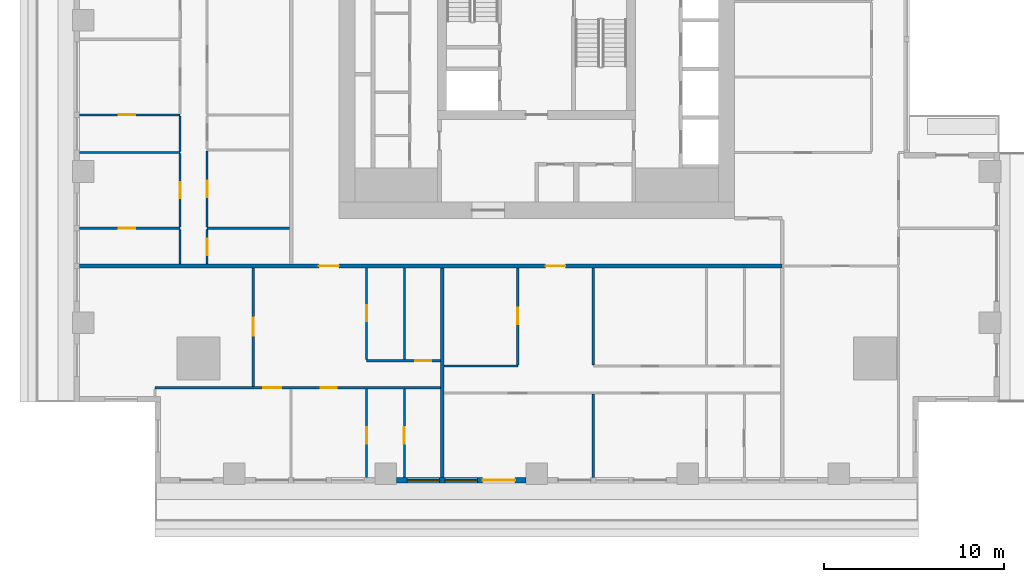
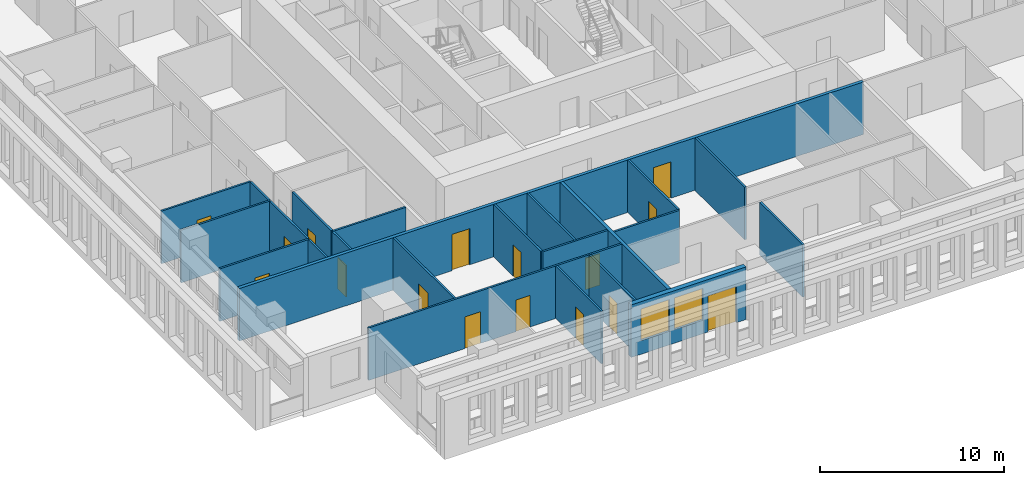
# One storey, part 2 of 16: 23 walls, 16 doors, 2 windows, 18 openings.
"""IFC4 building model written with IfcOpenShell, lengths in metres."""

from ifc_helpers import new_model, si_unit, direction, frame, frame_2d, origin, place, context, subcontext, project, spatial, rectangle, extrude, material, layer, layer_set, type_object, element, fill, save


model = new_model("IFC4")

# Units and contexts
model_context = context("Model", 3, precision=1e-05, world=origin(), true_north=direction((0.0, 1.0)))
body_context = subcontext(model_context, "Body", "Model", "MODEL_VIEW")
ifc_project = project(units=[si_unit("LENGTHUNIT", "METRE"), si_unit("AREAUNIT", "SQUARE_METRE"), si_unit("VOLUMEUNIT", "CUBIC_METRE"), si_unit("PLANEANGLEUNIT", "RADIAN"), si_unit("MASSUNIT", "GRAM", prefix="KILO")], contexts=[model_context])

# Site, building, storey
site_placement = place(None, origin())
site = spatial("IfcSite", under=ifc_project, at=site_placement, CompositionType="ELEMENT")
building_placement = place(site_placement, origin())
building = spatial("IfcBuilding", under=site, at=building_placement, Name="Khepri Terraces", CompositionType="ELEMENT")
storey_placement = place(building_placement, frame((0.0, 0.0, 204.0)))
storey = spatial("IfcBuildingStorey", under=building, at=storey_placement, Name="L48", CompositionType="ELEMENT", Elevation=204.0)

# Wall
ifc_material_1 = material(Name="Fire-rated gypsum plasterboard partition, mineral wool")
ifc_layer_1 = layer(ifc_material_1, 0.199951171875, Name="Fire-rated gypsum plasterboard partition, mineral wool")
ifc_layer_set_1 = layer_set([ifc_layer_1], Name="Fire-rated gypsum plasterboard partition, mineral wool")
wall_type_1 = type_object("IfcWallType", Name="WL-CORR-200", PredefinedType="PARTITIONING", material=ifc_layer_set_1)
wall_1_placement = place(storey_placement, frame((-5.25, -25.419921875, 0.0), z_axis=(0.0, 0.0, 1.0), x_axis=(0.0, 1.0, 0.0)))
element("IfcWall", 1, at=wall_1_placement, inside=storey, type_object=wall_type_1, Name="Partition P-004 L48", PredefinedType="PARTITIONING", context=body_context, shape_type="SweptSolid", body=[
    extrude(rectangle(XDim=11.669921875, YDim=0.199951171875, at=frame_2d((5.8349609375, 0.0))), origin(), (0.0, 0.0, 1.0), 3.47998046875),
])

# Wall, openings, doors
wall_2_placement = place(storey_placement, frame((-25.419921875, -13.64990234375, 0.0), z_axis=(0.0, 0.0, 1.0), x_axis=(1.0, 0.0, 0.0)))
wall_2 = element("IfcWall", 2, at=wall_2_placement, inside=storey, type_object=wall_type_1, Name="Partition P-023 L48", PredefinedType="PARTITIONING", context=body_context, shape_type="SweptSolid", body=[
    extrude(rectangle(XDim=39.06982421875, YDim=0.199951171875, at=frame_2d((19.534912109375, 0.0))), origin(), (0.0, 0.0, 1.0), 3.47998046875),
])
opening_1_placement = place(wall_2_placement, frame((13.320068359375, 0.0, 0.0)))
opening_1 = element("IfcOpeningElement", 3, at=opening_1_placement, cuts=wall_2, Name="Opening D1", PredefinedType="OPENING", context=body_context, shape_type="SweptSolid", body=[
    extrude(rectangle(XDim=1.10009765625, YDim=2.39990234375, at=frame_2d((0.550048828125, 1.199951171875))), frame((0.0, 0.10986328125, 0.0), z_axis=(0.0, -1.0, 0.0), x_axis=(1.0, 0.0, 0.0)), (0.0, 0.0, 1.0), 0.219970703125),
])
opening_2_placement = place(wall_2_placement, frame((25.919921875, 0.0, 0.0)))
opening_2 = element("IfcOpeningElement", 4, at=opening_2_placement, cuts=wall_2, Name="Opening D1", PredefinedType="OPENING", context=body_context, shape_type="SweptSolid", body=[
    extrude(rectangle(XDim=1.10009765625, YDim=2.39990234375, at=frame_2d((0.550048828125, 1.199951171875))), frame((0.0, 0.10986328125, 0.0), z_axis=(0.0, -1.0, 0.0), x_axis=(1.0, 0.0, 0.0)), (0.0, 0.0, 1.0), 0.219970703125),
])
ifc_material_2 = material(Name="Solid-core timber door leaf, flat entrance door", Category="wood")
door_type_1 = type_object("IfcDoorType", Name="DR-ENT-1100", OperationType="NOTDEFINED", PredefinedType="DOOR", material=ifc_material_2)
door_1_placement = place(opening_1_placement, frame((1.10009765625, 0.0, 0.0), z_axis=(0.0, 0.0, 1.0), x_axis=(-1.0, 0.0, 0.0)))
door_1 = element("IfcDoor", 5, at=door_1_placement, inside=storey, type_object=door_type_1, Name="Flat A1 entrance door", OperationType="SINGLE_SWING_RIGHT", OverallHeight=2.39990234375, OverallWidth=1.10009765625, PredefinedType="DOOR", context=body_context, shape_type="SweptSolid", body=[
    extrude(rectangle(XDim=1.10009765625, YDim=2.39990234375, at=frame_2d((0.550048828125, 1.199951171875))), frame((0.0, 0.02490234375, 0.0), z_axis=(0.0, -1.0, 0.0), x_axis=(1.0, 0.0, 0.0)), (0.0, 0.0, 1.0), 0.050048828125),
])
fill(opening_1, door_1)
door_2_placement = place(opening_2_placement, frame((1.10009765625, 0.0, 0.0), z_axis=(0.0, 0.0, 1.0), x_axis=(-1.0, 0.0, 0.0)))
door_2 = element("IfcDoor", 6, at=door_2_placement, inside=storey, type_object=door_type_1, Name="Flat A2 entrance door", OperationType="SINGLE_SWING_LEFT", OverallHeight=2.39990234375, OverallWidth=1.10009765625, PredefinedType="DOOR", context=body_context, shape_type="SweptSolid", body=[
    extrude(rectangle(XDim=1.10009765625, YDim=2.39990234375, at=frame_2d((0.550048828125, 1.199951171875))), frame((0.0, 0.02490234375, 0.0), z_axis=(0.0, -1.0, 0.0), x_axis=(1.0, 0.0, 0.0)), (0.0, 0.0, 1.0), 0.050048828125),
])
fill(opening_2, door_2)

# Wall, openings, door, windows
ifc_material_3 = material(Name="Precast concrete C50/60 warm stone", Category="masonry")
ifc_layer_2 = layer(ifc_material_3, 0.300048828125, Name="Precast concrete C50/60 warm stone", Category="masonry")
ifc_layer_set_2 = layer_set([ifc_layer_2], Name="Precast concrete C50/60 warm stone")
wall_type_2 = type_object("IfcWallType", Name="WL-EXT-PRECAST-300", PredefinedType="STANDARD", material=ifc_layer_set_2)
wall_3_placement = place(storey_placement, frame((-7.800048828125, -25.570068359375, 0.0), z_axis=(0.0, 0.0, 1.0), x_axis=(1.0, 0.0, 0.0)))
wall_3 = element("IfcWall", 7, at=wall_3_placement, inside=storey, type_object=wall_type_2, Name="External wall L48 S", PredefinedType="STANDARD", context=body_context, shape_type="SweptSolid", body=[
    extrude(rectangle(XDim=7.199951171875, YDim=0.300048828125, at=frame_2d((3.60009765625, 0.0))), origin(), (0.0, 0.0, 1.0), 3.47998046875),
])
opening_3_placement = place(wall_3_placement, frame((0.60009765625, 0.0, 0.89990234375)))
opening_3 = element("IfcOpeningElement", 8, at=opening_3_placement, cuts=wall_3, Name="Opening W1", PredefinedType="OPENING", context=body_context, shape_type="SweptSolid", body=[
    extrude(rectangle(XDim=1.800048828125, YDim=2.10009765625, at=frame_2d((0.89990234375, 1.050048828125))), frame((0.0, 0.16015625, 0.0), z_axis=(0.0, -1.0, 0.0), x_axis=(1.0, 0.0, 0.0)), (0.0, 0.0, 1.0), 0.320068359375),
])
opening_4_placement = place(wall_3_placement, frame((2.699951171875, 0.0, 0.89990234375)))
opening_4 = element("IfcOpeningElement", 9, at=opening_4_placement, cuts=wall_3, Name="Opening W1", PredefinedType="OPENING", context=body_context, shape_type="SweptSolid", body=[
    extrude(rectangle(XDim=1.800048828125, YDim=2.10009765625, at=frame_2d((0.89990234375, 1.050048828125))), frame((0.0, 0.16015625, 0.0), z_axis=(0.0, -1.0, 0.0), x_axis=(1.0, 0.0, 0.0)), (0.0, 0.0, 1.0), 0.320068359375),
])
opening_5_placement = place(wall_3_placement, frame((4.800048828125, 0.0, 0.0)))
opening_5 = element("IfcOpeningElement", 10, at=opening_5_placement, cuts=wall_3, Name="Opening ED-L48-18", PredefinedType="OPENING", context=body_context, shape_type="SweptSolid", body=[
    extrude(rectangle(XDim=1.800048828125, YDim=2.39990234375, at=frame_2d((0.89990234375, 1.199951171875))), frame((0.0, 0.16015625, 0.0), z_axis=(0.0, -1.0, 0.0), x_axis=(1.0, 0.0, 0.0)), (0.0, 0.0, 1.0), 0.320068359375),
])
ifc_material_4 = material(Name="Anodised aluminium bronze glazed door", Category="aluminium")
door_type_2 = type_object("IfcDoorType", Name="DR-BAL-SLIDE-1800x2400", OperationType="NOTDEFINED", PredefinedType="DOOR", material=ifc_material_4)
door_3_placement = place(opening_5_placement, origin())
door_3 = element("IfcDoor", 11, at=door_3_placement, inside=storey, type_object=door_type_2, Name="Balcony door L48 S", OperationType="SLIDING_TO_RIGHT", OverallHeight=2.39990234375, OverallWidth=1.800048828125, PredefinedType="DOOR", context=body_context, shape_type="SweptSolid", body=[
    extrude(rectangle(XDim=1.800048828125, YDim=2.39990234375, at=frame_2d((0.89990234375, 1.199951171875))), frame((0.0, 0.02490234375, 0.0), z_axis=(0.0, -1.0, 0.0), x_axis=(1.0, 0.0, 0.0)), (0.0, 0.0, 1.0), 0.050048828125),
])
fill(opening_5, door_3)
ifc_material_5 = material(Name="Clear glass", Category="glass")
window_type = type_object("IfcWindowType", Name="WIN-RES-1800x2100", PartitioningType="SINGLE_PANEL", PredefinedType="WINDOW", material=ifc_material_5)
window_1_placement = place(opening_3_placement, origin())
window_1 = element("IfcWindow", 12, at=window_1_placement, inside=storey, type_object=window_type, Name="Window L48 S", OverallHeight=2.10009765625, OverallWidth=1.800048828125, PartitioningType="SINGLE_PANEL", PredefinedType="WINDOW", context=body_context, shape_type="SweptSolid", body=[
    extrude(rectangle(XDim=1.800048828125, YDim=2.10009765625, at=frame_2d((0.89990234375, 1.050048828125))), frame((0.0, 0.030029296875, 0.0), z_axis=(0.0, -1.0, 0.0), x_axis=(1.0, 0.0, 0.0)), (0.0, 0.0, 1.0), 0.06005859375),
])
fill(opening_3, window_1)
window_2_placement = place(opening_4_placement, origin())
window_2 = element("IfcWindow", 13, at=window_2_placement, inside=storey, type_object=window_type, Name="Window L48 S", OverallHeight=2.10009765625, OverallWidth=1.800048828125, PartitioningType="SINGLE_PANEL", PredefinedType="WINDOW", context=body_context, shape_type="SweptSolid", body=[
    extrude(rectangle(XDim=1.800048828125, YDim=2.10009765625, at=frame_2d((0.89990234375, 1.050048828125))), frame((0.0, 0.030029296875, 0.0), z_axis=(0.0, -1.0, 0.0), x_axis=(1.0, 0.0, 0.0)), (0.0, 0.0, 1.0), 0.06005859375),
])
fill(opening_4, window_2)

# Wall, opening, door
ifc_material_6 = material(Name="Gypsum plasterboard partition")
ifc_layer_3 = layer(ifc_material_6, 0.1201171875, Name="Gypsum plasterboard partition")
ifc_layer_set_3 = layer_set([ifc_layer_3], Name="Gypsum plasterboard partition")
wall_type_3 = type_object("IfcWallType", Name="WL-PART-120", PredefinedType="PARTITIONING", material=ifc_layer_set_3)
wall_4_placement = place(storey_placement, frame((-9.449951171875, -25.419921875, 0.0), z_axis=(0.0, 0.0, 1.0), x_axis=(0.0, 1.0, 0.0)))
wall_4 = element("IfcWall", 14, at=wall_4_placement, inside=storey, type_object=wall_type_3, Name="Partition P-002 L48", PredefinedType="PARTITIONING", context=body_context, shape_type="SweptSolid", body=[
    extrude(rectangle(XDim=4.93994140625, YDim=0.1201171875, at=frame_2d((2.469970703125, 0.0))), origin(), (0.0, 0.0, 1.0), 3.47998046875),
])
opening_6_placement = place(wall_4_placement, frame((1.89990234375, 0.0, 0.0)))
opening_6 = element("IfcOpeningElement", 15, at=opening_6_placement, cuts=wall_4, Name="Opening D3", PredefinedType="OPENING", context=body_context, shape_type="SweptSolid", body=[
    extrude(rectangle(XDim=0.89990234375, YDim=2.10009765625, at=frame_2d((0.449951171875, 1.050048828125))), frame((0.0, 0.070068359375, 0.0), z_axis=(0.0, -1.0, 0.0), x_axis=(1.0, 0.0, 0.0)), (0.0, 0.0, 1.0), 0.14013671875),
])
ifc_material_7 = material(Name="Timber door leaf", Category="wood")
door_type_3 = type_object("IfcDoorType", Name="DR-INT-900", OperationType="NOTDEFINED", PredefinedType="DOOR", material=ifc_material_7)
door_4_placement = place(opening_6_placement, frame((0.89990234375, 0.0, 0.0), z_axis=(0.0, 0.0, 1.0), x_axis=(-1.0, 0.0, 0.0)))
door_4 = element("IfcDoor", 16, at=door_4_placement, inside=storey, type_object=door_type_3, Name="Door Dressing Room", OperationType="SINGLE_SWING_RIGHT", OverallHeight=2.10009765625, OverallWidth=0.89990234375, PredefinedType="DOOR", context=body_context, shape_type="SweptSolid", body=[
    extrude(rectangle(XDim=0.89990234375, YDim=2.10009765625, at=frame_2d((0.449951171875, 1.050048828125))), frame((0.0, 0.02490234375, 0.0), z_axis=(0.0, -1.0, 0.0), x_axis=(1.0, 0.0, 0.0)), (0.0, 0.0, 1.0), 0.050048828125),
])
fill(opening_6, door_4)

wall_5_placement = place(storey_placement, frame((-7.35009765625, -25.419921875, 0.0), z_axis=(0.0, 0.0, 1.0), x_axis=(0.0, 1.0, 0.0)))
wall_5 = element("IfcWall", 17, at=wall_5_placement, inside=storey, type_object=wall_type_3, Name="Partition P-003 L48", PredefinedType="PARTITIONING", context=body_context, shape_type="SweptSolid", body=[
    extrude(rectangle(XDim=4.93994140625, YDim=0.1201171875, at=frame_2d((2.469970703125, 0.0))), origin(), (0.0, 0.0, 1.0), 3.47998046875),
])
opening_7_placement = place(wall_5_placement, frame((1.89990234375, 0.0, 0.0)))
opening_7 = element("IfcOpeningElement", 18, at=opening_7_placement, cuts=wall_5, Name="Opening D4", PredefinedType="OPENING", context=body_context, shape_type="SweptSolid", body=[
    extrude(rectangle(XDim=0.89990234375, YDim=2.10009765625, at=frame_2d((0.449951171875, 1.050048828125))), frame((0.0, 0.070068359375, 0.0), z_axis=(0.0, -1.0, 0.0), x_axis=(1.0, 0.0, 0.0)), (0.0, 0.0, 1.0), 0.14013671875),
])
ifc_material_8 = material(Name="Timber door leaf, moisture resistant", Category="wood")
door_type_4 = type_object("IfcDoorType", Name="DR-WET-900", OperationType="NOTDEFINED", PredefinedType="DOOR", material=ifc_material_8)
door_5_placement = place(opening_7_placement, frame((0.89990234375, 0.0, 0.0), z_axis=(0.0, 0.0, 1.0), x_axis=(-1.0, 0.0, 0.0)))
door_5 = element("IfcDoor", 19, at=door_5_placement, inside=storey, type_object=door_type_4, Name="Door Bathroom", OperationType="SINGLE_SWING_RIGHT", OverallHeight=2.10009765625, OverallWidth=0.89990234375, PredefinedType="DOOR", context=body_context, shape_type="SweptSolid", body=[
    extrude(rectangle(XDim=0.89990234375, YDim=2.10009765625, at=frame_2d((0.449951171875, 1.050048828125))), frame((0.0, 0.02490234375, 0.0), z_axis=(0.0, -1.0, 0.0), x_axis=(1.0, 0.0, 0.0)), (0.0, 0.0, 1.0), 0.050048828125),
])
fill(opening_7, door_5)

# Wall
wall_6_placement = place(storey_placement, frame((3.14990234375, -25.419921875, 0.0), z_axis=(0.0, 0.0, 1.0), x_axis=(0.0, 1.0, 0.0)))
element("IfcWall", 20, at=wall_6_placement, inside=storey, type_object=wall_type_3, Name="Partition P-005 L48", PredefinedType="PARTITIONING", context=body_context, shape_type="SweptSolid", body=[
    extrude(rectangle(XDim=4.639892578125, YDim=0.1201171875, at=frame_2d((2.31982421875, 0.0))), origin(), (0.0, 0.0, 1.0), 3.47998046875),
])

# Wall, openings, doors
wall_7_placement = place(storey_placement, frame((-21.218994140625, -20.419921875, 0.0), z_axis=(0.0, 0.0, 1.0), x_axis=(1.0, 0.0, 0.0)))
wall_7 = element("IfcWall", 21, at=wall_7_placement, inside=storey, type_object=wall_type_3, Name="Partition P-012 L48", PredefinedType="PARTITIONING", context=body_context, shape_type="SweptSolid", body=[
    extrude(rectangle(XDim=15.868896484375, YDim=0.1201171875, at=frame_2d((7.9345703125, 0.0))), origin(), (0.0, 0.0, 1.0), 3.47998046875),
])
opening_8_placement = place(wall_7_placement, frame((6.01904296875, 0.0, 0.0)))
opening_8 = element("IfcOpeningElement", 22, at=opening_8_placement, cuts=wall_7, Name="Opening D2", PredefinedType="OPENING", context=body_context, shape_type="SweptSolid", body=[
    extrude(rectangle(XDim=1.0, YDim=2.10009765625, at=frame_2d((0.5, 1.050048828125))), frame((0.0, 0.070068359375, 0.0), z_axis=(0.0, -1.0, 0.0), x_axis=(1.0, 0.0, 0.0)), (0.0, 0.0, 1.0), 0.14013671875),
])
opening_9_placement = place(wall_7_placement, frame((9.218994140625, 0.0, 0.0)))
opening_9 = element("IfcOpeningElement", 23, at=opening_9_placement, cuts=wall_7, Name="Opening D3", PredefinedType="OPENING", context=body_context, shape_type="SweptSolid", body=[
    extrude(rectangle(XDim=0.89990234375, YDim=2.10009765625, at=frame_2d((0.449951171875, 1.050048828125))), frame((0.0, 0.070068359375, 0.0), z_axis=(0.0, -1.0, 0.0), x_axis=(1.0, 0.0, 0.0)), (0.0, 0.0, 1.0), 0.14013671875),
])
ifc_material_9 = material(Name="Timber door leaf, living room door", Category="wood")
door_type_5 = type_object("IfcDoorType", Name="DR-INT-1000", OperationType="NOTDEFINED", PredefinedType="DOOR", material=ifc_material_9)
door_6_placement = place(opening_8_placement, frame((1.0, 0.0, 0.0), z_axis=(0.0, 0.0, 1.0), x_axis=(-1.0, 0.0, 0.0)))
door_6 = element("IfcDoor", 24, at=door_6_placement, inside=storey, type_object=door_type_5, Name="Door Living Room", OperationType="SINGLE_SWING_RIGHT", OverallHeight=2.10009765625, OverallWidth=1.0, PredefinedType="DOOR", context=body_context, shape_type="SweptSolid", body=[
    extrude(rectangle(XDim=1.0, YDim=2.10009765625, at=frame_2d((0.5, 1.050048828125))), frame((0.0, 0.02490234375, 0.0), z_axis=(0.0, -1.0, 0.0), x_axis=(1.0, 0.0, 0.0)), (0.0, 0.0, 1.0), 0.050048828125),
])
fill(opening_8, door_6)
door_7_placement = place(opening_9_placement, frame((0.89990234375, 0.0, 0.0), z_axis=(0.0, 0.0, 1.0), x_axis=(-1.0, 0.0, 0.0)))
door_7 = element("IfcDoor", 25, at=door_7_placement, inside=storey, type_object=door_type_3, Name="Door Master Bedroom", OperationType="SINGLE_SWING_LEFT", OverallHeight=2.10009765625, OverallWidth=0.89990234375, PredefinedType="DOOR", context=body_context, shape_type="SweptSolid", body=[
    extrude(rectangle(XDim=0.89990234375, YDim=2.10009765625, at=frame_2d((0.449951171875, 1.050048828125))), frame((0.0, 0.02490234375, 0.0), z_axis=(0.0, -1.0, 0.0), x_axis=(1.0, 0.0, 0.0)), (0.0, 0.0, 1.0), 0.050048828125),
])
fill(opening_9, door_7)

# Wall, opening, door
wall_8_placement = place(storey_placement, frame((-15.75, -20.360107421875, 0.0), z_axis=(0.0, 0.0, 1.0), x_axis=(0.0, 1.0, 0.0)))
wall_8 = element("IfcWall", 26, at=wall_8_placement, inside=storey, type_object=wall_type_3, Name="Partition P-013 L48", PredefinedType="PARTITIONING", context=body_context, shape_type="SweptSolid", body=[
    extrude(rectangle(XDim=6.610107421875, YDim=0.1201171875, at=frame_2d((3.30517578125, 0.0))), origin(), (0.0, 0.0, 1.0), 3.47998046875),
])
opening_10_placement = place(wall_8_placement, frame((2.824951171875, 0.0, 0.0)))
opening_10 = element("IfcOpeningElement", 27, at=opening_10_placement, cuts=wall_8, Name="Opening D2", PredefinedType="OPENING", context=body_context, shape_type="SweptSolid", body=[
    extrude(rectangle(XDim=1.0, YDim=2.10009765625, at=frame_2d((0.5, 1.050048828125))), frame((0.0, 0.070068359375, 0.0), z_axis=(0.0, -1.0, 0.0), x_axis=(1.0, 0.0, 0.0)), (0.0, 0.0, 1.0), 0.14013671875),
])
door_8_placement = place(opening_10_placement, origin())
door_8 = element("IfcDoor", 28, at=door_8_placement, inside=storey, type_object=door_type_5, Name="Door Family Room", OperationType="SINGLE_SWING_RIGHT", OverallHeight=2.10009765625, OverallWidth=1.0, PredefinedType="DOOR", context=body_context, shape_type="SweptSolid", body=[
    extrude(rectangle(XDim=1.0, YDim=2.10009765625, at=frame_2d((0.5, 1.050048828125))), frame((0.0, 0.02490234375, 0.0), z_axis=(0.0, -1.0, 0.0), x_axis=(1.0, 0.0, 0.0)), (0.0, 0.0, 1.0), 0.050048828125),
])
fill(opening_10, door_8)

# Wall
wall_9_placement = place(storey_placement, frame((-5.14990234375, -19.219970703125, 0.0), z_axis=(0.0, 0.0, 1.0), x_axis=(1.0, 0.0, 0.0)))
element("IfcWall", 29, at=wall_9_placement, inside=storey, type_object=wall_type_3, Name="Partition P-014 L48", PredefinedType="PARTITIONING", context=body_context, shape_type="SweptSolid", body=[
    extrude(rectangle(XDim=4.099853515625, YDim=0.1201171875, at=frame_2d((2.0498046875, 0.0))), origin(), (0.0, 0.0, 1.0), 3.47998046875),
])

# Wall, opening, door
wall_10_placement = place(storey_placement, frame((-1.050048828125, -19.159912109375, 0.0), z_axis=(0.0, 0.0, 1.0), x_axis=(0.0, 1.0, 0.0)))
wall_10 = element("IfcWall", 30, at=wall_10_placement, inside=storey, type_object=wall_type_3, Name="Partition P-016 L48", PredefinedType="PARTITIONING", context=body_context, shape_type="SweptSolid", body=[
    extrude(rectangle(XDim=5.409912109375, YDim=0.1201171875, at=frame_2d((2.705078125, 0.0))), origin(), (0.0, 0.0, 1.0), 3.47998046875),
])
opening_11_placement = place(wall_10_placement, frame((2.27490234375, 0.0, 0.0)))
opening_11 = element("IfcOpeningElement", 31, at=opening_11_placement, cuts=wall_10, Name="Opening D3", PredefinedType="OPENING", context=body_context, shape_type="SweptSolid", body=[
    extrude(rectangle(XDim=0.89990234375, YDim=2.10009765625, at=frame_2d((0.449951171875, 1.050048828125))), frame((0.0, 0.070068359375, 0.0), z_axis=(0.0, -1.0, 0.0), x_axis=(1.0, 0.0, 0.0)), (0.0, 0.0, 1.0), 0.14013671875),
])
door_9_placement = place(opening_11_placement, origin())
door_9 = element("IfcDoor", 32, at=door_9_placement, inside=storey, type_object=door_type_3, Name="Door Utility Room", OperationType="SINGLE_SWING_RIGHT", OverallHeight=2.10009765625, OverallWidth=0.89990234375, PredefinedType="DOOR", context=body_context, shape_type="SweptSolid", body=[
    extrude(rectangle(XDim=0.89990234375, YDim=2.10009765625, at=frame_2d((0.449951171875, 1.050048828125))), frame((0.0, 0.02490234375, 0.0), z_axis=(0.0, -1.0, 0.0), x_axis=(1.0, 0.0, 0.0)), (0.0, 0.0, 1.0), 0.050048828125),
])
fill(opening_11, door_9)

# Wall
wall_11_placement = place(storey_placement, frame((3.14990234375, -19.159912109375, 0.0), z_axis=(0.0, 0.0, 1.0), x_axis=(0.0, 1.0, 0.0)))
element("IfcWall", 33, at=wall_11_placement, inside=storey, type_object=wall_type_3, Name="Partition P-017 L48", PredefinedType="PARTITIONING", context=body_context, shape_type="SweptSolid", body=[
    extrude(rectangle(XDim=5.409912109375, YDim=0.1201171875, at=frame_2d((2.705078125, 0.0))), origin(), (0.0, 0.0, 1.0), 3.47998046875),
])

# Wall, opening, door
wall_12_placement = place(storey_placement, frame((-9.449951171875, -18.919921875, 0.0), z_axis=(0.0, 0.0, 1.0), x_axis=(1.0, 0.0, 0.0)))
wall_12 = element("IfcWall", 34, at=wall_12_placement, inside=storey, type_object=wall_type_3, Name="Partition P-020 L48", PredefinedType="PARTITIONING", context=body_context, shape_type="SweptSolid", body=[
    extrude(rectangle(XDim=4.099853515625, YDim=0.1201171875, at=frame_2d((2.0498046875, 0.0))), origin(), (0.0, 0.0, 1.0), 3.47998046875),
])
opening_12_placement = place(wall_12_placement, frame((2.699951171875, 0.0, 0.0)))
opening_12 = element("IfcOpeningElement", 35, at=opening_12_placement, cuts=wall_12, Name="Opening D3", PredefinedType="OPENING", context=body_context, shape_type="SweptSolid", body=[
    extrude(rectangle(XDim=0.89990234375, YDim=2.10009765625, at=frame_2d((0.449951171875, 1.050048828125))), frame((0.0, 0.070068359375, 0.0), z_axis=(0.0, -1.0, 0.0), x_axis=(1.0, 0.0, 0.0)), (0.0, 0.0, 1.0), 0.14013671875),
])
door_10_placement = place(opening_12_placement, origin())
door_10 = element("IfcDoor", 36, at=door_10_placement, inside=storey, type_object=door_type_3, Name="Door Kitchen", OperationType="SINGLE_SWING_RIGHT", OverallHeight=2.10009765625, OverallWidth=0.89990234375, PredefinedType="DOOR", context=body_context, shape_type="SweptSolid", body=[
    extrude(rectangle(XDim=0.89990234375, YDim=2.10009765625, at=frame_2d((0.449951171875, 1.050048828125))), frame((0.0, 0.02490234375, 0.0), z_axis=(0.0, -1.0, 0.0), x_axis=(1.0, 0.0, 0.0)), (0.0, 0.0, 1.0), 0.050048828125),
])
fill(opening_12, door_10)

wall_13_placement = place(storey_placement, frame((-9.449951171875, -18.860107421875, 0.0), z_axis=(0.0, 0.0, 1.0), x_axis=(0.0, 1.0, 0.0)))
wall_13 = element("IfcWall", 37, at=wall_13_placement, inside=storey, type_object=wall_type_3, Name="Partition P-021 L48", PredefinedType="PARTITIONING", context=body_context, shape_type="SweptSolid", body=[
    extrude(rectangle(XDim=5.110107421875, YDim=0.1201171875, at=frame_2d((2.55517578125, 0.0))), origin(), (0.0, 0.0, 1.0), 3.47998046875),
])
opening_13_placement = place(wall_13_placement, frame((2.125, 0.0, 0.0)))
opening_13 = element("IfcOpeningElement", 38, at=opening_13_placement, cuts=wall_13, Name="Opening D4", PredefinedType="OPENING", context=body_context, shape_type="SweptSolid", body=[
    extrude(rectangle(XDim=0.89990234375, YDim=2.10009765625, at=frame_2d((0.449951171875, 1.050048828125))), frame((0.0, 0.070068359375, 0.0), z_axis=(0.0, -1.0, 0.0), x_axis=(1.0, 0.0, 0.0)), (0.0, 0.0, 1.0), 0.14013671875),
])
door_11_placement = place(opening_13_placement, frame((0.89990234375, 0.0, 0.0), z_axis=(0.0, 0.0, 1.0), x_axis=(-1.0, 0.0, 0.0)))
door_11 = element("IfcDoor", 39, at=door_11_placement, inside=storey, type_object=door_type_4, Name="Door Guest Bathroom", OperationType="SINGLE_SWING_LEFT", OverallHeight=2.10009765625, OverallWidth=0.89990234375, PredefinedType="DOOR", context=body_context, shape_type="SweptSolid", body=[
    extrude(rectangle(XDim=0.89990234375, YDim=2.10009765625, at=frame_2d((0.449951171875, 1.050048828125))), frame((0.0, 0.02490234375, 0.0), z_axis=(0.0, -1.0, 0.0), x_axis=(1.0, 0.0, 0.0)), (0.0, 0.0, 1.0), 0.050048828125),
])
fill(opening_13, door_11)

# Walls
wall_14_placement = place(storey_placement, frame((-7.35009765625, -18.860107421875, 0.0), z_axis=(0.0, 0.0, 1.0), x_axis=(0.0, 1.0, 0.0)))
element("IfcWall", 40, at=wall_14_placement, inside=storey, type_object=wall_type_3, Name="Partition P-022 L48", PredefinedType="PARTITIONING", context=body_context, shape_type="SweptSolid", body=[
    extrude(rectangle(XDim=5.110107421875, YDim=0.1201171875, at=frame_2d((2.55517578125, 0.0))), origin(), (0.0, 0.0, 1.0), 3.47998046875),
])
wall_15_placement = place(storey_placement, frame((-19.820068359375, -13.550048828125, 0.0), z_axis=(0.0, 0.0, 1.0), x_axis=(0.0, 1.0, 0.0)))
element("IfcWall", 41, at=wall_15_placement, inside=storey, type_object=wall_type_3, Name="Partition P-026 L48", PredefinedType="PARTITIONING", context=body_context, shape_type="SweptSolid", body=[
    extrude(rectangle(XDim=1.93994140625, YDim=0.1201171875, at=frame_2d((0.969970703125, 0.0))), origin(), (0.0, 0.0, 1.0), 3.47998046875),
])

# Wall, opening, door
wall_16_placement = place(storey_placement, frame((-18.320068359375, -13.550048828125, 0.0), z_axis=(0.0, 0.0, 1.0), x_axis=(0.0, 1.0, 0.0)))
wall_16 = element("IfcWall", 42, at=wall_16_placement, inside=storey, type_object=wall_type_3, Name="Partition P-027 L48", PredefinedType="PARTITIONING", context=body_context, shape_type="SweptSolid", body=[
    extrude(rectangle(XDim=1.93994140625, YDim=0.1201171875, at=frame_2d((0.969970703125, 0.0))), origin(), (0.0, 0.0, 1.0), 3.47998046875),
])
opening_14_placement = place(wall_16_placement, frame((0.5, 0.0, 0.0)))
opening_14 = element("IfcOpeningElement", 43, at=opening_14_placement, cuts=wall_16, Name="Opening D3", PredefinedType="OPENING", context=body_context, shape_type="SweptSolid", body=[
    extrude(rectangle(XDim=0.89990234375, YDim=2.10009765625, at=frame_2d((0.449951171875, 1.050048828125))), frame((0.0, 0.070068359375, 0.0), z_axis=(0.0, -1.0, 0.0), x_axis=(1.0, 0.0, 0.0)), (0.0, 0.0, 1.0), 0.14013671875),
])
door_12_placement = place(opening_14_placement, frame((0.89990234375, 0.0, 0.0), z_axis=(0.0, 0.0, 1.0), x_axis=(-1.0, 0.0, 0.0)))
door_12 = element("IfcDoor", 44, at=door_12_placement, inside=storey, type_object=door_type_3, Name="Door Utility Room", OperationType="SINGLE_SWING_RIGHT", OverallHeight=2.10009765625, OverallWidth=0.89990234375, PredefinedType="DOOR", context=body_context, shape_type="SweptSolid", body=[
    extrude(rectangle(XDim=0.89990234375, YDim=2.10009765625, at=frame_2d((0.449951171875, 1.050048828125))), frame((0.0, 0.02490234375, 0.0), z_axis=(0.0, -1.0, 0.0), x_axis=(1.0, 0.0, 0.0)), (0.0, 0.0, 1.0), 0.050048828125),
])
fill(opening_14, door_12)

wall_17_placement = place(storey_placement, frame((-25.419921875, -11.550048828125, 0.0), z_axis=(0.0, 0.0, 1.0), x_axis=(1.0, 0.0, 0.0)))
wall_17 = element("IfcWall", 45, at=wall_17_placement, inside=storey, type_object=wall_type_3, Name="Partition P-030 L48", PredefinedType="PARTITIONING", context=body_context, shape_type="SweptSolid", body=[
    extrude(rectangle(XDim=5.599853515625, YDim=0.1201171875, at=frame_2d((2.7998046875, 0.0))), origin(), (0.0, 0.0, 1.0), 3.47998046875),
])
opening_15_placement = place(wall_17_placement, frame((2.199951171875, 0.0, 0.0)))
opening_15 = element("IfcOpeningElement", 46, at=opening_15_placement, cuts=wall_17, Name="Opening D4", PredefinedType="OPENING", context=body_context, shape_type="SweptSolid", body=[
    extrude(rectangle(XDim=0.89990234375, YDim=2.10009765625, at=frame_2d((0.449951171875, 1.050048828125))), frame((0.0, 0.070068359375, 0.0), z_axis=(0.0, -1.0, 0.0), x_axis=(1.0, 0.0, 0.0)), (0.0, 0.0, 1.0), 0.14013671875),
])
door_13_placement = place(opening_15_placement, frame((0.89990234375, 0.0, 0.0), z_axis=(0.0, 0.0, 1.0), x_axis=(-1.0, 0.0, 0.0)))
door_13 = element("IfcDoor", 47, at=door_13_placement, inside=storey, type_object=door_type_4, Name="Door Bathroom", OperationType="SINGLE_SWING_RIGHT", OverallHeight=2.10009765625, OverallWidth=0.89990234375, PredefinedType="DOOR", context=body_context, shape_type="SweptSolid", body=[
    extrude(rectangle(XDim=0.89990234375, YDim=2.10009765625, at=frame_2d((0.449951171875, 1.050048828125))), frame((0.0, 0.02490234375, 0.0), z_axis=(0.0, -1.0, 0.0), x_axis=(1.0, 0.0, 0.0)), (0.0, 0.0, 1.0), 0.050048828125),
])
fill(opening_15, door_13)

# Wall
wall_18_placement = place(storey_placement, frame((-18.320068359375, -11.550048828125, 0.0), z_axis=(0.0, 0.0, 1.0), x_axis=(1.0, 0.0, 0.0)))
element("IfcWall", 48, at=wall_18_placement, inside=storey, type_object=wall_type_3, Name="Partition P-031 L48", PredefinedType="PARTITIONING", context=body_context, shape_type="SweptSolid", body=[
    extrude(rectangle(XDim=4.570068359375, YDim=0.1201171875, at=frame_2d((2.28515625, 0.0))), origin(), (0.0, 0.0, 1.0), 3.47998046875),
])

# Wall, opening, door
wall_19_placement = place(storey_placement, frame((-19.820068359375, -11.489990234375, 0.0), z_axis=(0.0, 0.0, 1.0), x_axis=(0.0, 1.0, 0.0)))
wall_19 = element("IfcWall", 49, at=wall_19_placement, inside=storey, type_object=wall_type_3, Name="Partition P-033 L48", PredefinedType="PARTITIONING", context=body_context, shape_type="SweptSolid", body=[
    extrude(rectangle(XDim=4.080078125, YDim=0.1201171875, at=frame_2d((2.0400390625, 0.0))), origin(), (0.0, 0.0, 1.0), 3.47998046875),
])
opening_16_placement = place(wall_19_placement, frame((1.590087890625, 0.0, 0.0)))
opening_16 = element("IfcOpeningElement", 50, at=opening_16_placement, cuts=wall_19, Name="Opening D3", PredefinedType="OPENING", context=body_context, shape_type="SweptSolid", body=[
    extrude(rectangle(XDim=0.89990234375, YDim=2.10009765625, at=frame_2d((0.449951171875, 1.050048828125))), frame((0.0, 0.070068359375, 0.0), z_axis=(0.0, -1.0, 0.0), x_axis=(1.0, 0.0, 0.0)), (0.0, 0.0, 1.0), 0.14013671875),
])
door_14_placement = place(opening_16_placement, origin())
door_14 = element("IfcDoor", 51, at=door_14_placement, inside=storey, type_object=door_type_3, Name="Door Bedroom", OperationType="SINGLE_SWING_RIGHT", OverallHeight=2.10009765625, OverallWidth=0.89990234375, PredefinedType="DOOR", context=body_context, shape_type="SweptSolid", body=[
    extrude(rectangle(XDim=0.89990234375, YDim=2.10009765625, at=frame_2d((0.449951171875, 1.050048828125))), frame((0.0, 0.02490234375, 0.0), z_axis=(0.0, -1.0, 0.0), x_axis=(1.0, 0.0, 0.0)), (0.0, 0.0, 1.0), 0.050048828125),
])
fill(opening_16, door_14)

wall_20_placement = place(storey_placement, frame((-18.320068359375, -11.489990234375, 0.0), z_axis=(0.0, 0.0, 1.0), x_axis=(0.0, 1.0, 0.0)))
wall_20 = element("IfcWall", 52, at=wall_20_placement, inside=storey, type_object=wall_type_3, Name="Partition P-034 L48", PredefinedType="PARTITIONING", context=body_context, shape_type="SweptSolid", body=[
    extrude(rectangle(XDim=4.22998046875, YDim=0.1201171875, at=frame_2d((2.114990234375, 0.0))), origin(), (0.0, 0.0, 1.0), 3.47998046875),
])
opening_17_placement = place(wall_20_placement, frame((1.6650390625, 0.0, 0.0)))
opening_17 = element("IfcOpeningElement", 53, at=opening_17_placement, cuts=wall_20, Name="Opening D4", PredefinedType="OPENING", context=body_context, shape_type="SweptSolid", body=[
    extrude(rectangle(XDim=0.89990234375, YDim=2.10009765625, at=frame_2d((0.449951171875, 1.050048828125))), frame((0.0, 0.070068359375, 0.0), z_axis=(0.0, -1.0, 0.0), x_axis=(1.0, 0.0, 0.0)), (0.0, 0.0, 1.0), 0.14013671875),
])
door_15_placement = place(opening_17_placement, frame((0.89990234375, 0.0, 0.0), z_axis=(0.0, 0.0, 1.0), x_axis=(-1.0, 0.0, 0.0)))
door_15 = element("IfcDoor", 54, at=door_15_placement, inside=storey, type_object=door_type_4, Name="Door Guest Bathroom", OperationType="SINGLE_SWING_LEFT", OverallHeight=2.10009765625, OverallWidth=0.89990234375, PredefinedType="DOOR", context=body_context, shape_type="SweptSolid", body=[
    extrude(rectangle(XDim=0.89990234375, YDim=2.10009765625, at=frame_2d((0.449951171875, 1.050048828125))), frame((0.0, 0.02490234375, 0.0), z_axis=(0.0, -1.0, 0.0), x_axis=(1.0, 0.0, 0.0)), (0.0, 0.0, 1.0), 0.050048828125),
])
fill(opening_17, door_15)

# Walls
wall_21_placement = place(storey_placement, frame((-25.419921875, -7.35009765625, 0.0), z_axis=(0.0, 0.0, 1.0), x_axis=(1.0, 0.0, 0.0)))
element("IfcWall", 55, at=wall_21_placement, inside=storey, type_object=wall_type_3, Name="Partition P-037 L48", PredefinedType="PARTITIONING", context=body_context, shape_type="SweptSolid", body=[
    extrude(rectangle(XDim=5.599853515625, YDim=0.1201171875, at=frame_2d((2.7998046875, 0.0))), origin(), (0.0, 0.0, 1.0), 3.47998046875),
])
wall_22_placement = place(storey_placement, frame((-19.820068359375, -7.2900390625, 0.0), z_axis=(0.0, 0.0, 1.0), x_axis=(0.0, 1.0, 0.0)))
element("IfcWall", 56, at=wall_22_placement, inside=storey, type_object=wall_type_3, Name="Partition P-040 L48", PredefinedType="PARTITIONING", context=body_context, shape_type="SweptSolid", body=[
    extrude(rectangle(XDim=1.97998046875, YDim=0.1201171875, at=frame_2d((0.989990234375, 0.0))), origin(), (0.0, 0.0, 1.0), 3.47998046875),
])

# Wall, opening, door
wall_23_placement = place(storey_placement, frame((-25.419921875, -5.25, 0.0), z_axis=(0.0, 0.0, 1.0), x_axis=(1.0, 0.0, 0.0)))
wall_23 = element("IfcWall", 57, at=wall_23_placement, inside=storey, type_object=wall_type_3, Name="Partition P-044 L48", PredefinedType="PARTITIONING", context=body_context, shape_type="SweptSolid", body=[
    extrude(rectangle(XDim=5.599853515625, YDim=0.1201171875, at=frame_2d((2.7998046875, 0.0))), origin(), (0.0, 0.0, 1.0), 3.47998046875),
])
opening_18_placement = place(wall_23_placement, frame((2.199951171875, 0.0, 0.0)))
opening_18 = element("IfcOpeningElement", 58, at=opening_18_placement, cuts=wall_23, Name="Opening D4", PredefinedType="OPENING", context=body_context, shape_type="SweptSolid", body=[
    extrude(rectangle(XDim=0.89990234375, YDim=2.10009765625, at=frame_2d((0.449951171875, 1.050048828125))), frame((0.0, 0.070068359375, 0.0), z_axis=(0.0, -1.0, 0.0), x_axis=(1.0, 0.0, 0.0)), (0.0, 0.0, 1.0), 0.14013671875),
])
door_16_placement = place(opening_18_placement, frame((0.89990234375, 0.0, 0.0), z_axis=(0.0, 0.0, 1.0), x_axis=(-1.0, 0.0, 0.0)))
door_16 = element("IfcDoor", 59, at=door_16_placement, inside=storey, type_object=door_type_4, Name="Door Bathroom", OperationType="SINGLE_SWING_RIGHT", OverallHeight=2.10009765625, OverallWidth=0.89990234375, PredefinedType="DOOR", context=body_context, shape_type="SweptSolid", body=[
    extrude(rectangle(XDim=0.89990234375, YDim=2.10009765625, at=frame_2d((0.449951171875, 1.050048828125))), frame((0.0, 0.02490234375, 0.0), z_axis=(0.0, -1.0, 0.0), x_axis=(1.0, 0.0, 0.0)), (0.0, 0.0, 1.0), 0.050048828125),
])
fill(opening_18, door_16)

save(model, "model.ifc")
